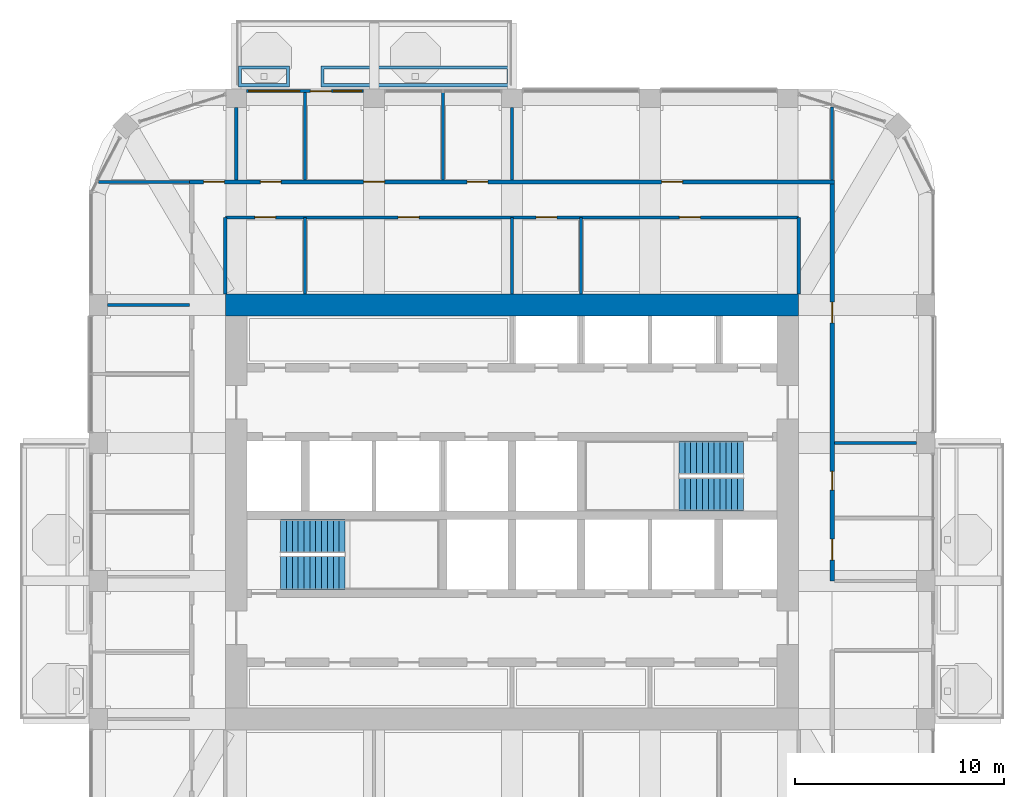
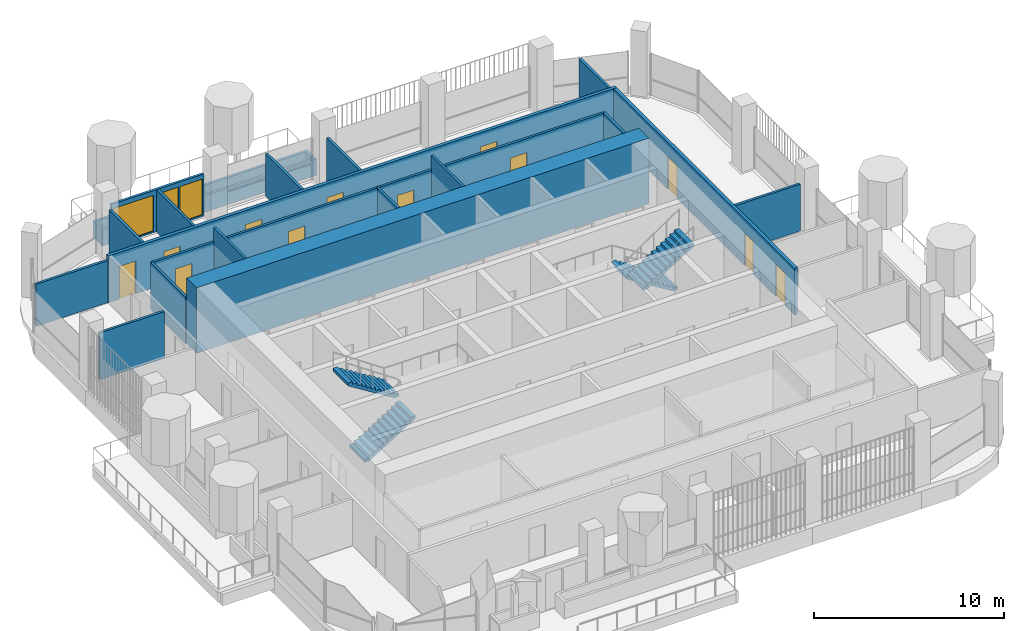
# One storey, part 14 of 18: 20 walls, 13 doors, 4 stair flights, 2 windows, 15 openings, 2 elements without a shape of their own.
"""IFC4 building model written with IfcOpenShell, lengths in metres."""

from ifc_helpers import new_model, si_unit, direction, frame, frame_2d, origin, place, context, subcontext, project, spatial, polyline, rectangle, outline, extrude, material, layer, layer_set, type_object, element, fill, aggregate, save


model = new_model("IFC4")

# Units and contexts
model_context = context("Model", 3, precision=1e-05, world=origin(), true_north=direction((0.0, 1.0)))
body_context = subcontext(model_context, "Body", "Model", "MODEL_VIEW")
ifc_project = project(units=[si_unit("LENGTHUNIT", "METRE"), si_unit("AREAUNIT", "SQUARE_METRE"), si_unit("VOLUMEUNIT", "CUBIC_METRE"), si_unit("PLANEANGLEUNIT", "RADIAN"), si_unit("MASSUNIT", "GRAM", prefix="KILO")], contexts=[model_context])

# Site, building, storey
site_placement = place(None, origin())
site = spatial("IfcSite", under=ifc_project, at=site_placement, CompositionType="ELEMENT")
building_placement = place(site_placement, origin())
building = spatial("IfcBuilding", under=site, at=building_placement, Name="Cobogo Forest Laboratory Tower", CompositionType="ELEMENT")
storey_placement = place(building_placement, frame((0.0, 0.0, 271.199951171875)))
storey = spatial("IfcBuildingStorey", under=building, at=storey_placement, Name="L62", CompositionType="ELEMENT", Elevation=271.199951171875)

# Wall
ifc_material_1 = material(Name="Concrete HA-50 (C50/60)", Category="concrete")
ifc_layer_1 = layer(ifc_material_1, 1.050048828125)
ifc_layer_set_1 = layer_set([ifc_layer_1], Name="CW1050 core outer wall 1050")
wall_type_1 = type_object("IfcWallType", Name="CW1050 core outer wall 1050", PredefinedType="SHEAR", material=ifc_layer_set_1)
wall_1_placement = place(storey_placement, frame((40.125, 33.0, 0.0), z_axis=(0.0, 0.0, 1.0), x_axis=(-1.0, 0.0, 0.0)))
element("IfcWall", 1, at=wall_1_placement, inside=storey, type_object=wall_type_1, Name="Core wall CO-N L62", PredefinedType="SHEAR", context=body_context, shape_type="SweptSolid", body=[
    extrude(rectangle(XDim=27.449951171875, YDim=1.050048828125, at=frame_2d((13.72509765625, 0.0))), origin(), (0.0, 0.0, 1.0), 4.199951171875),
])

# Wall, openings, door, windows
ifc_material_2 = material(Name="Aluminium framed glazed screen", Category="aluminium")
ifc_layer_2 = layer(ifc_material_2, 0.14990234375)
ifc_layer_set_2 = layer_set([ifc_layer_2], Name="GS1 glazed door screen 150")
wall_type_2 = type_object("IfcWallType", Name="GS1 glazed door screen 150", PredefinedType="SOLIDWALL", material=ifc_layer_set_2)
wall_2_placement = place(storey_placement, frame((19.300048828125, 43.25, 0.0), z_axis=(0.0, 0.0, 1.0), x_axis=(-1.0, 0.0, 0.0)))
wall_2 = element("IfcWall", 2, at=wall_2_placement, inside=storey, type_object=wall_type_2, Name="Door screen BAL-N1 L62", PredefinedType="SOLIDWALL", context=body_context, shape_type="SweptSolid", body=[
    extrude(rectangle(XDim=5.60009765625, YDim=0.14990234375, at=frame_2d((2.800048828125, 0.0))), origin(), (0.0, 0.0, 1.0), 2.699951171875),
])
opening_1_placement = place(wall_2_placement, frame((1.550048828125, 0.0, 0.0)))
opening_1 = element("IfcOpeningElement", 3, at=opening_1_placement, cuts=wall_2, Name="Opening L62-D52", PredefinedType="OPENING", context=body_context, shape_type="SweptSolid", body=[
    extrude(rectangle(XDim=1.0, YDim=2.39990234375, at=frame_2d((0.5, 1.199951171875))), frame((0.0, 0.0849609375, 0.0), z_axis=(0.0, -1.0, 0.0), x_axis=(1.0, 0.0, 0.0)), (0.0, 0.0, 1.0), 0.169921875),
])
opening_2_placement = place(wall_2_placement, frame((0.10009765625, 0.0, 0.10009765625)))
opening_2 = element("IfcOpeningElement", 4, at=opening_2_placement, cuts=wall_2, Name="Opening L62-W08", PredefinedType="OPENING", context=body_context, shape_type="SweptSolid", body=[
    extrude(rectangle(XDim=1.35009765625, YDim=2.300048828125, at=frame_2d((0.675048828125, 1.14990234375))), frame((0.0, 0.0849609375, 0.0), z_axis=(0.0, -1.0, 0.0), x_axis=(1.0, 0.0, 0.0)), (0.0, 0.0, 1.0), 0.169921875),
])
opening_3_placement = place(wall_2_placement, frame((3.050048828125, 0.0, 0.10009765625)))
opening_3 = element("IfcOpeningElement", 5, at=opening_3_placement, cuts=wall_2, Name="Opening L62-W07", PredefinedType="OPENING", context=body_context, shape_type="SweptSolid", body=[
    extrude(rectangle(XDim=2.449951171875, YDim=2.300048828125, at=frame_2d((1.22509765625, 1.14990234375))), frame((0.0, 0.0849609375, 0.0), z_axis=(0.0, -1.0, 0.0), x_axis=(1.0, 0.0, 0.0)), (0.0, 0.0, 1.0), 0.169921875),
])
ifc_material_3 = material(Name="Aluminium glazed door", Category="aluminium")
door_type_1 = type_object("IfcDoorType", Name="DB1 balcony door 1000 glazed", OperationType="SINGLE_SWING_LEFT", PredefinedType="DOOR", material=ifc_material_3)
door_1_placement = place(opening_1_placement, origin())
door_1 = element("IfcDoor", 6, at=door_1_placement, inside=storey, type_object=door_type_1, Name="Door L62-BAL-N1", OperationType="SINGLE_SWING_LEFT", OverallHeight=2.39990234375, OverallWidth=1.0, PredefinedType="DOOR", context=body_context, shape_type="SweptSolid", body=[
    extrude(rectangle(XDim=1.0, YDim=2.39990234375, at=frame_2d((0.5, 1.199951171875))), frame((0.0, 0.02490234375, 0.0), z_axis=(0.0, -1.0, 0.0), x_axis=(1.0, 0.0, 0.0)), (0.0, 0.0, 1.0), 0.050048828125),
])
fill(opening_1, door_1)
ifc_material_4 = material(Name="Aluminium framed glazing", Category="aluminium")
window_type_1 = type_object("IfcWindowType", Name="WG23 fixed glazed light 2450x2300", PartitioningType="SINGLE_PANEL", PredefinedType="WINDOW", material=ifc_material_4)
window_1_placement = place(opening_3_placement, origin())
window_1 = element("IfcWindow", 7, at=window_1_placement, inside=storey, type_object=window_type_1, Name="Window L62-BAL-N1-2", OverallHeight=2.300048828125, OverallWidth=2.449951171875, PartitioningType="SINGLE_PANEL", PredefinedType="WINDOW", context=body_context, shape_type="SweptSolid", body=[
    extrude(rectangle(XDim=2.449951171875, YDim=2.300048828125, at=frame_2d((1.22509765625, 1.14990234375))), frame((0.0, 0.030029296875, 0.0), z_axis=(0.0, -1.0, 0.0), x_axis=(1.0, 0.0, 0.0)), (0.0, 0.0, 1.0), 0.06005859375),
])
fill(opening_3, window_1)
window_type_2 = type_object("IfcWindowType", Name="WG24 fixed glazed light 1350x2300", PartitioningType="SINGLE_PANEL", PredefinedType="WINDOW", material=ifc_material_4)
window_2_placement = place(opening_2_placement, origin())
window_2 = element("IfcWindow", 8, at=window_2_placement, inside=storey, type_object=window_type_2, Name="Window L62-BAL-N1-1", OverallHeight=2.300048828125, OverallWidth=1.35009765625, PartitioningType="SINGLE_PANEL", PredefinedType="WINDOW", context=body_context, shape_type="SweptSolid", body=[
    extrude(rectangle(XDim=1.35009765625, YDim=2.300048828125, at=frame_2d((0.675048828125, 1.14990234375))), frame((0.0, 0.030029296875, 0.0), z_axis=(0.0, -1.0, 0.0), x_axis=(1.0, 0.0, 0.0)), (0.0, 0.0, 1.0), 0.06005859375),
])
fill(opening_2, window_2)

# Wall, openings, doors
ifc_material_5 = material(Name="Gypsum board on steel studs", Category="steel")
ifc_layer_3 = layer(ifc_material_5, 0.14990234375)
ifc_layer_set_3 = layer_set([ifc_layer_3], Name="PT1 laboratory partition 150")
wall_type_3 = type_object("IfcWallType", Name="PT1 laboratory partition 150", PredefinedType="PARTITIONING", material=ifc_layer_set_3)
wall_3_placement = place(storey_placement, frame((12.675048828125, 37.199951171875, 0.0), z_axis=(0.0, 0.0, 1.0), x_axis=(1.0, 0.0, 0.0)))
wall_3 = element("IfcWall", 9, at=wall_3_placement, inside=storey, type_object=wall_type_3, Name="Partition CSTRIP-N L62", PredefinedType="PARTITIONING", context=body_context, shape_type="SweptSolid", body=[
    extrude(rectangle(XDim=27.449951171875, YDim=0.14990234375, at=frame_2d((13.72509765625, 0.0))), origin(), (0.0, 0.0, 1.0), 3.0),
])
opening_4_placement = place(wall_3_placement, frame((1.41259765625, 0.0, 0.0)))
opening_4 = element("IfcOpeningElement", 10, at=opening_4_placement, cuts=wall_3, Name="Opening L62-D43", PredefinedType="OPENING", context=body_context, shape_type="SweptSolid", body=[
    extrude(rectangle(XDim=1.0, YDim=2.10009765625, at=frame_2d((0.5, 1.050048828125))), frame((0.0, 0.0849609375, 0.0), z_axis=(0.0, -1.0, 0.0), x_axis=(1.0, 0.0, 0.0)), (0.0, 0.0, 1.0), 0.169921875),
])
opening_5_placement = place(wall_3_placement, frame((8.27490234375, 0.0, 0.0)))
opening_5 = element("IfcOpeningElement", 11, at=opening_5_placement, cuts=wall_3, Name="Opening L62-D44", PredefinedType="OPENING", context=body_context, shape_type="SweptSolid", body=[
    extrude(rectangle(XDim=1.0, YDim=2.10009765625, at=frame_2d((0.5, 1.050048828125))), frame((0.0, 0.0849609375, 0.0), z_axis=(0.0, -1.0, 0.0), x_axis=(1.0, 0.0, 0.0)), (0.0, 0.0, 1.0), 0.169921875),
])
opening_6_placement = place(wall_3_placement, frame((14.875, 0.0, 0.0)))
opening_6 = element("IfcOpeningElement", 12, at=opening_6_placement, cuts=wall_3, Name="Opening L62-D45", PredefinedType="OPENING", context=body_context, shape_type="SweptSolid", body=[
    extrude(rectangle(XDim=1.0, YDim=2.10009765625, at=frame_2d((0.5, 1.050048828125))), frame((0.0, 0.0849609375, 0.0), z_axis=(0.0, -1.0, 0.0), x_axis=(1.0, 0.0, 0.0)), (0.0, 0.0, 1.0), 0.169921875),
])
opening_7_placement = place(wall_3_placement, frame((21.737548828125, 0.0, 0.0)))
opening_7 = element("IfcOpeningElement", 13, at=opening_7_placement, cuts=wall_3, Name="Opening L62-D46", PredefinedType="OPENING", context=body_context, shape_type="SweptSolid", body=[
    extrude(rectangle(XDim=1.0, YDim=2.10009765625, at=frame_2d((0.5, 1.050048828125))), frame((0.0, 0.0849609375, 0.0), z_axis=(0.0, -1.0, 0.0), x_axis=(1.0, 0.0, 0.0)), (0.0, 0.0, 1.0), 0.169921875),
])
ifc_material_6 = material(Name="Timber fire door", Category="wood")
door_type_2 = type_object("IfcDoorType", Name="FD2 fire door 1000 EI2 30", OperationType="SINGLE_SWING_LEFT", PredefinedType="DOOR", material=ifc_material_6)
door_2_placement = place(opening_4_placement, origin())
door_2 = element("IfcDoor", 14, at=door_2_placement, inside=storey, type_object=door_type_2, Name="Door L62-CSN1", OperationType="SINGLE_SWING_LEFT", OverallHeight=2.10009765625, OverallWidth=1.0, PredefinedType="DOOR", context=body_context, shape_type="SweptSolid", body=[
    extrude(rectangle(XDim=1.0, YDim=2.10009765625, at=frame_2d((0.5, 1.050048828125))), frame((0.0, 0.02490234375, 0.0), z_axis=(0.0, -1.0, 0.0), x_axis=(1.0, 0.0, 0.0)), (0.0, 0.0, 1.0), 0.050048828125),
])
fill(opening_4, door_2)
door_3_placement = place(opening_5_placement, origin())
door_3 = element("IfcDoor", 15, at=door_3_placement, inside=storey, type_object=door_type_2, Name="Door L62-CSN2", OperationType="SINGLE_SWING_LEFT", OverallHeight=2.10009765625, OverallWidth=1.0, PredefinedType="DOOR", context=body_context, shape_type="SweptSolid", body=[
    extrude(rectangle(XDim=1.0, YDim=2.10009765625, at=frame_2d((0.5, 1.050048828125))), frame((0.0, 0.02490234375, 0.0), z_axis=(0.0, -1.0, 0.0), x_axis=(1.0, 0.0, 0.0)), (0.0, 0.0, 1.0), 0.050048828125),
])
fill(opening_5, door_3)
door_4_placement = place(opening_6_placement, origin())
door_4 = element("IfcDoor", 16, at=door_4_placement, inside=storey, type_object=door_type_2, Name="Door L62-CSN3", OperationType="SINGLE_SWING_RIGHT", OverallHeight=2.10009765625, OverallWidth=1.0, PredefinedType="DOOR", context=body_context, shape_type="SweptSolid", body=[
    extrude(rectangle(XDim=1.0, YDim=2.10009765625, at=frame_2d((0.5, 1.050048828125))), frame((0.0, 0.02490234375, 0.0), z_axis=(0.0, -1.0, 0.0), x_axis=(1.0, 0.0, 0.0)), (0.0, 0.0, 1.0), 0.050048828125),
])
fill(opening_6, door_4)
door_5_placement = place(opening_7_placement, origin())
door_5 = element("IfcDoor", 17, at=door_5_placement, inside=storey, type_object=door_type_2, Name="Door L62-CSN4", OperationType="SINGLE_SWING_RIGHT", OverallHeight=2.10009765625, OverallWidth=1.0, PredefinedType="DOOR", context=body_context, shape_type="SweptSolid", body=[
    extrude(rectangle(XDim=1.0, YDim=2.10009765625, at=frame_2d((0.5, 1.050048828125))), frame((0.0, 0.02490234375, 0.0), z_axis=(0.0, -1.0, 0.0), x_axis=(1.0, 0.0, 0.0)), (0.0, 0.0, 1.0), 0.050048828125),
])
fill(opening_7, door_5)

# Walls
for number, where, z_axis, x_axis, name in (
    (18, (12.675048828125, 33.52490234375, 0.0), (0.0, 0.0, 1.0), (0.0, 1.0, 0.0), "Partition CSTRIP-NW L62"),
    (19, (40.125, 33.52490234375, 0.0), (0.0, 0.0, 1.0), (0.0, 1.0, 0.0), "Partition CSTRIP-NE L62"),
):
    element("IfcWall", number, at=place(storey_placement, frame(where, z_axis=z_axis, x_axis=x_axis)), inside=storey, type_object=wall_type_3, Name=name, PredefinedType="PARTITIONING", context=body_context, shape_type="SweptSolid", body=[
        extrude(rectangle(XDim=3.675048828125, YDim=0.14990234375, at=frame_2d((1.83740234375, 0.0))), origin(), (0.0, 0.0, 1.0), 3.0),
    ])
wall_4_placement = place(storey_placement, frame((16.5, 33.52490234375, 0.0), z_axis=(0.0, 0.0, 1.0), x_axis=(0.0, 1.0, 0.0)))
element("IfcWall", 20, at=wall_4_placement, inside=storey, type_object=wall_type_3, Name="Partition CSTRIP-N16.5 L62", PredefinedType="PARTITIONING", context=body_context, shape_type="SweptSolid", body=[
    extrude(rectangle(XDim=3.675048828125, YDim=0.14990234375, at=frame_2d((1.83740234375, 0.0))), origin(), (0.0, 0.0, 1.0), 3.900146484375),
])
wall_5_placement = place(storey_placement, frame((26.39990234375, 33.52490234375, 0.0), z_axis=(0.0, 0.0, 1.0), x_axis=(0.0, 1.0, 0.0)))
element("IfcWall", 21, at=wall_5_placement, inside=storey, type_object=wall_type_3, Name="Partition CSTRIP-N26.4 L62", PredefinedType="PARTITIONING", context=body_context, shape_type="SweptSolid", body=[
    extrude(rectangle(XDim=3.675048828125, YDim=0.14990234375, at=frame_2d((1.83740234375, 0.0))), origin(), (0.0, 0.0, 1.0), 3.0),
])
wall_6_placement = place(storey_placement, frame((29.699951171875, 33.52490234375, 0.0), z_axis=(0.0, 0.0, 1.0), x_axis=(0.0, 1.0, 0.0)))
element("IfcWall", 22, at=wall_6_placement, inside=storey, type_object=wall_type_3, Name="Partition CSTRIP-N29.7 L62", PredefinedType="PARTITIONING", context=body_context, shape_type="SweptSolid", body=[
    extrude(rectangle(XDim=3.675048828125, YDim=0.14990234375, at=frame_2d((1.83740234375, 0.0))), origin(), (0.0, 0.0, 1.0), 3.900146484375),
])
wall_7_placement = place(storey_placement, frame((41.72509765625, 42.4951171875, 0.0), z_axis=(0.0, 0.0, 1.0), x_axis=(0.0, -1.0, 0.0)))
element("IfcWall", 23, at=wall_7_placement, inside=storey, type_object=wall_type_3, Name="Partition PW-NE L62", PredefinedType="PARTITIONING", context=body_context, shape_type="SweptSolid", body=[
    extrude(rectangle(XDim=3.4951171875, YDim=0.14990234375, at=frame_2d((1.74755859375, 0.0))), origin(), (0.0, 0.0, 1.0), 2.699951171875),
])
wall_8_placement = place(storey_placement, frame((6.6025390625, 38.89990234375, 0.0), z_axis=(0.0, 0.0, 1.0), x_axis=(1.0, 0.0, 0.0)))
element("IfcWall", 24, at=wall_8_placement, inside=storey, type_object=wall_type_3, Name="Partition PW-NW L62", PredefinedType="PARTITIONING", context=body_context, shape_type="SweptSolid", body=[
    extrude(rectangle(XDim=4.37255859375, YDim=0.14990234375, at=frame_2d((2.186279296875, 0.0))), origin(), (0.0, 0.0, 1.0), 2.699951171875),
])
wall_9_placement = place(storey_placement, frame((45.75, 26.39990234375, 0.0), z_axis=(0.0, 0.0, 1.0), x_axis=(-1.0, 0.0, 0.0)))
element("IfcWall", 25, at=wall_9_placement, inside=storey, type_object=wall_type_3, Name="Partition SVC-E2-1 L62", PredefinedType="PARTITIONING", context=body_context, shape_type="SweptSolid", body=[
    extrude(rectangle(XDim=3.925048828125, YDim=0.14990234375, at=frame_2d((1.96240234375, 0.0))), origin(), (0.0, 0.0, 1.0), 3.0),
])
wall_10_placement = place(storey_placement, frame((13.199951171875, 42.449951171875, 0.0), z_axis=(0.0, 0.0, 1.0), x_axis=(0.0, -1.0, 0.0)))
element("IfcWall", 26, at=wall_10_placement, inside=storey, type_object=wall_type_3, Name="Partition CUT-N13.2-1 L62", PredefinedType="PARTITIONING", context=body_context, shape_type="SweptSolid", body=[
    extrude(rectangle(XDim=3.449951171875, YDim=0.14990234375, at=frame_2d((1.72509765625, 0.0))), origin(), (0.0, 0.0, 1.0), 3.0),
])
for number, where, z_axis, x_axis, name in (
    (27, (16.5, 43.169921875, 0.0), (0.0, 0.0, 1.0), (0.0, -1.0, 0.0), "Partition CUT-N16.5-1 L62"),
    (28, (23.10009765625, 43.169921875, 0.0), (0.0, 0.0, 1.0), (0.0, -1.0, 0.0), "Partition CUT-N23.1-1 L62"),
):
    element("IfcWall", number, at=place(storey_placement, frame(where, z_axis=z_axis, x_axis=x_axis)), inside=storey, type_object=wall_type_3, Name=name, PredefinedType="PARTITIONING", context=body_context, shape_type="SweptSolid", body=[
        extrude(rectangle(XDim=4.169921875, YDim=0.14990234375, at=frame_2d((2.0849609375, 0.0))), origin(), (0.0, 0.0, 1.0), 2.699951171875),
    ])
wall_11_placement = place(storey_placement, frame((26.39990234375, 42.449951171875, 0.0), z_axis=(0.0, 0.0, 1.0), x_axis=(0.0, -1.0, 0.0)))
element("IfcWall", 29, at=wall_11_placement, inside=storey, type_object=wall_type_3, Name="Partition CUT-N26.4-1 L62", PredefinedType="PARTITIONING", context=body_context, shape_type="SweptSolid", body=[
    extrude(rectangle(XDim=3.449951171875, YDim=0.14990234375, at=frame_2d((1.72509765625, 0.0))), origin(), (0.0, 0.0, 1.0), 3.0),
])
wall_12_placement = place(storey_placement, frame((7.050048828125, 33.0, 0.0), z_axis=(0.0, 0.0, 1.0), x_axis=(1.0, 0.0, 0.0)))
element("IfcWall", 30, at=wall_12_placement, inside=storey, type_object=wall_type_3, Name="Partition CUT-W33-1 L62", PredefinedType="PARTITIONING", context=body_context, shape_type="SweptSolid", body=[
    extrude(rectangle(XDim=3.925048828125, YDim=0.14990234375, at=frame_2d((1.96240234375, 0.0))), origin(), (0.0, 0.0, 1.0), 3.0),
])

# Wall, openings, doors
ifc_layer_4 = layer(ifc_material_5, 0.199951171875)
ifc_layer_set_4 = layer_set([ifc_layer_4], Name="PT2 fire-rated corridor partition 200")
wall_type_4 = type_object("IfcWallType", Name="PT2 fire-rated corridor partition 200", PredefinedType="PARTITIONING", material=ifc_layer_set_4)
wall_13_placement = place(storey_placement, frame((10.97509765625, 38.89990234375, 0.0), z_axis=(0.0, 0.0, 1.0), x_axis=(1.0, 0.0, 0.0)))
wall_13 = element("IfcWall", 31, at=wall_13_placement, inside=storey, type_object=wall_type_4, Name="Partition CORR-N L62", PredefinedType="PARTITIONING", context=body_context, shape_type="SweptSolid", body=[
    extrude(rectangle(XDim=30.849853515625, YDim=0.199951171875, at=frame_2d((15.4248046875, 0.0))), origin(), (0.0, 0.0, 1.0), 3.0),
])
opening_8_placement = place(wall_13_placement, frame((0.66259765625, 0.0, 0.0)))
opening_8 = element("IfcOpeningElement", 32, at=opening_8_placement, cuts=wall_13, Name="Opening L62-D47", PredefinedType="OPENING", context=body_context, shape_type="SweptSolid", body=[
    extrude(rectangle(XDim=1.0, YDim=2.10009765625, at=frame_2d((0.5, 1.050048828125))), frame((0.0, 0.10986328125, 0.0), z_axis=(0.0, -1.0, 0.0), x_axis=(1.0, 0.0, 0.0)), (0.0, 0.0, 1.0), 0.219970703125),
])
opening_9_placement = place(wall_13_placement, frame((3.375, 0.0, 0.0)))
opening_9 = element("IfcOpeningElement", 33, at=opening_9_placement, cuts=wall_13, Name="Opening L62-D48", PredefinedType="OPENING", context=body_context, shape_type="SweptSolid", body=[
    extrude(rectangle(XDim=1.0, YDim=2.10009765625, at=frame_2d((0.5, 1.050048828125))), frame((0.0, 0.10986328125, 0.0), z_axis=(0.0, -1.0, 0.0), x_axis=(1.0, 0.0, 0.0)), (0.0, 0.0, 1.0), 0.219970703125),
])
opening_10_placement = place(wall_13_placement, frame((8.324951171875, 0.0, 0.0)))
opening_10 = element("IfcOpeningElement", 34, at=opening_10_placement, cuts=wall_13, Name="Opening L62-D49", PredefinedType="OPENING", context=body_context, shape_type="SweptSolid", body=[
    extrude(rectangle(XDim=1.0, YDim=2.10009765625, at=frame_2d((0.5, 1.050048828125))), frame((0.0, 0.10986328125, 0.0), z_axis=(0.0, -1.0, 0.0), x_axis=(1.0, 0.0, 0.0)), (0.0, 0.0, 1.0), 0.219970703125),
])
opening_11_placement = place(wall_13_placement, frame((13.27490234375, 0.0, 0.0)))
opening_11 = element("IfcOpeningElement", 35, at=opening_11_placement, cuts=wall_13, Name="Opening L62-D50", PredefinedType="OPENING", context=body_context, shape_type="SweptSolid", body=[
    extrude(rectangle(XDim=1.0, YDim=2.10009765625, at=frame_2d((0.5, 1.050048828125))), frame((0.0, 0.10986328125, 0.0), z_axis=(0.0, -1.0, 0.0), x_axis=(1.0, 0.0, 0.0)), (0.0, 0.0, 1.0), 0.219970703125),
])
opening_12_placement = place(wall_13_placement, frame((22.58740234375, 0.0, 0.0)))
opening_12 = element("IfcOpeningElement", 36, at=opening_12_placement, cuts=wall_13, Name="Opening L62-D51", PredefinedType="OPENING", context=body_context, shape_type="SweptSolid", body=[
    extrude(rectangle(XDim=1.0, YDim=2.10009765625, at=frame_2d((0.5, 1.050048828125))), frame((0.0, 0.10986328125, 0.0), z_axis=(0.0, -1.0, 0.0), x_axis=(1.0, 0.0, 0.0)), (0.0, 0.0, 1.0), 0.219970703125),
])
door_6_placement = place(opening_8_placement, origin())
door_6 = element("IfcDoor", 37, at=door_6_placement, inside=storey, type_object=door_type_2, Name="Door L62-N1", OperationType="SINGLE_SWING_LEFT", OverallHeight=2.10009765625, OverallWidth=1.0, PredefinedType="DOOR", context=body_context, shape_type="SweptSolid", body=[
    extrude(rectangle(XDim=1.0, YDim=2.10009765625, at=frame_2d((0.5, 1.050048828125))), frame((0.0, 0.02490234375, 0.0), z_axis=(0.0, -1.0, 0.0), x_axis=(1.0, 0.0, 0.0)), (0.0, 0.0, 1.0), 0.050048828125),
])
fill(opening_8, door_6)
door_7_placement = place(opening_9_placement, origin())
door_7 = element("IfcDoor", 38, at=door_7_placement, inside=storey, type_object=door_type_2, Name="Door L62-N2", OperationType="SINGLE_SWING_LEFT", OverallHeight=2.10009765625, OverallWidth=1.0, PredefinedType="DOOR", context=body_context, shape_type="SweptSolid", body=[
    extrude(rectangle(XDim=1.0, YDim=2.10009765625, at=frame_2d((0.5, 1.050048828125))), frame((0.0, 0.02490234375, 0.0), z_axis=(0.0, -1.0, 0.0), x_axis=(1.0, 0.0, 0.0)), (0.0, 0.0, 1.0), 0.050048828125),
])
fill(opening_9, door_7)
door_8_placement = place(opening_10_placement, origin())
door_8 = element("IfcDoor", 39, at=door_8_placement, inside=storey, type_object=door_type_2, Name="Door L62-N3", OperationType="SINGLE_SWING_LEFT", OverallHeight=2.10009765625, OverallWidth=1.0, PredefinedType="DOOR", context=body_context, shape_type="SweptSolid", body=[
    extrude(rectangle(XDim=1.0, YDim=2.10009765625, at=frame_2d((0.5, 1.050048828125))), frame((0.0, 0.02490234375, 0.0), z_axis=(0.0, -1.0, 0.0), x_axis=(1.0, 0.0, 0.0)), (0.0, 0.0, 1.0), 0.050048828125),
])
fill(opening_10, door_8)
door_9_placement = place(opening_11_placement, origin())
door_9 = element("IfcDoor", 40, at=door_9_placement, inside=storey, type_object=door_type_2, Name="Door L62-N4", OperationType="SINGLE_SWING_LEFT", OverallHeight=2.10009765625, OverallWidth=1.0, PredefinedType="DOOR", context=body_context, shape_type="SweptSolid", body=[
    extrude(rectangle(XDim=1.0, YDim=2.10009765625, at=frame_2d((0.5, 1.050048828125))), frame((0.0, 0.02490234375, 0.0), z_axis=(0.0, -1.0, 0.0), x_axis=(1.0, 0.0, 0.0)), (0.0, 0.0, 1.0), 0.050048828125),
])
fill(opening_11, door_9)
door_10_placement = place(opening_12_placement, origin())
door_10 = element("IfcDoor", 41, at=door_10_placement, inside=storey, type_object=door_type_2, Name="Door L62-N5", OperationType="SINGLE_SWING_RIGHT", OverallHeight=2.10009765625, OverallWidth=1.0, PredefinedType="DOOR", context=body_context, shape_type="SweptSolid", body=[
    extrude(rectangle(XDim=1.0, YDim=2.10009765625, at=frame_2d((0.5, 1.050048828125))), frame((0.0, 0.02490234375, 0.0), z_axis=(0.0, -1.0, 0.0), x_axis=(1.0, 0.0, 0.0)), (0.0, 0.0, 1.0), 0.050048828125),
])
fill(opening_12, door_10)

wall_14_placement = place(storey_placement, frame((41.72509765625, 19.800048828125, 0.0), z_axis=(0.0, 0.0, 1.0), x_axis=(0.0, 1.0, 0.0)))
wall_14 = element("IfcWall", 42, at=wall_14_placement, inside=storey, type_object=wall_type_4, Name="Partition CORR-E-2 L62", PredefinedType="PARTITIONING", context=body_context, shape_type="SweptSolid", body=[
    extrude(rectangle(XDim=19.0, YDim=0.199951171875, at=frame_2d((9.5, 0.0))), origin(), (0.0, 0.0, 1.0), 3.0),
])
opening_13_placement = place(wall_14_placement, frame((1.0, 0.0, 0.0)))
opening_13 = element("IfcOpeningElement", 43, at=opening_13_placement, cuts=wall_14, Name="Opening L62-D29", PredefinedType="OPENING", context=body_context, shape_type="SweptSolid", body=[
    extrude(rectangle(XDim=1.0, YDim=2.10009765625, at=frame_2d((0.5, 1.050048828125))), frame((0.0, 0.10986328125, 0.0), z_axis=(0.0, -1.0, 0.0), x_axis=(1.0, 0.0, 0.0)), (0.0, 0.0, 1.0), 0.219970703125),
])
opening_14_placement = place(wall_14_placement, frame((4.35009765625, 0.0, 0.0)))
opening_14 = element("IfcOpeningElement", 44, at=opening_14_placement, cuts=wall_14, Name="Opening L62-D31", PredefinedType="OPENING", context=body_context, shape_type="SweptSolid", body=[
    extrude(rectangle(XDim=0.89990234375, YDim=2.10009765625, at=frame_2d((0.449951171875, 1.050048828125))), frame((0.0, 0.10986328125, 0.0), z_axis=(0.0, -1.0, 0.0), x_axis=(1.0, 0.0, 0.0)), (0.0, 0.0, 1.0), 0.219970703125),
])
opening_15_placement = place(wall_14_placement, frame((12.35009765625, 0.0, 0.0)))
opening_15 = element("IfcOpeningElement", 45, at=opening_15_placement, cuts=wall_14, Name="Opening L62-D41", PredefinedType="OPENING", context=body_context, shape_type="SweptSolid", body=[
    extrude(rectangle(XDim=1.0, YDim=2.10009765625, at=frame_2d((0.5, 1.050048828125))), frame((0.0, 0.10986328125, 0.0), z_axis=(0.0, -1.0, 0.0), x_axis=(1.0, 0.0, 0.0)), (0.0, 0.0, 1.0), 0.219970703125),
])
ifc_material_7 = material(Name="Steel fire door", Category="steel")
door_type_3 = type_object("IfcDoorType", Name="FD1 fire door 1000 EI2 60", OperationType="SINGLE_SWING_LEFT", PredefinedType="DOOR", material=ifc_material_7)
door_11_placement = place(opening_13_placement, origin())
door_11 = element("IfcDoor", 46, at=door_11_placement, inside=storey, type_object=door_type_3, Name="Door L62-ELEC", OperationType="SINGLE_SWING_LEFT", OverallHeight=2.10009765625, OverallWidth=1.0, PredefinedType="DOOR", context=body_context, shape_type="SweptSolid", body=[
    extrude(rectangle(XDim=1.0, YDim=2.10009765625, at=frame_2d((0.5, 1.050048828125))), frame((0.0, 0.02490234375, 0.0), z_axis=(0.0, -1.0, 0.0), x_axis=(1.0, 0.0, 0.0)), (0.0, 0.0, 1.0), 0.050048828125),
])
fill(opening_13, door_11)
door_12_placement = place(opening_15_placement, origin())
door_12 = element("IfcDoor", 47, at=door_12_placement, inside=storey, type_object=door_type_2, Name="Door L62-E3", OperationType="SINGLE_SWING_RIGHT", OverallHeight=2.10009765625, OverallWidth=1.0, PredefinedType="DOOR", context=body_context, shape_type="SweptSolid", body=[
    extrude(rectangle(XDim=1.0, YDim=2.10009765625, at=frame_2d((0.5, 1.050048828125))), frame((0.0, 0.02490234375, 0.0), z_axis=(0.0, -1.0, 0.0), x_axis=(1.0, 0.0, 0.0)), (0.0, 0.0, 1.0), 0.050048828125),
])
fill(opening_15, door_12)
door_type_4 = type_object("IfcDoorType", Name="FD4 riser access door 900 EI2 60", OperationType="SINGLE_SWING_LEFT", PredefinedType="DOOR", material=ifc_material_7)
door_13_placement = place(opening_14_placement, origin())
door_13 = element("IfcDoor", 48, at=door_13_placement, inside=storey, type_object=door_type_4, Name="Door L62-COMMS", OperationType="SINGLE_SWING_LEFT", OverallHeight=2.10009765625, OverallWidth=0.89990234375, PredefinedType="DOOR", context=body_context, shape_type="SweptSolid", body=[
    extrude(rectangle(XDim=0.89990234375, YDim=2.10009765625, at=frame_2d((0.449951171875, 1.050048828125))), frame((0.0, 0.02490234375, 0.0), z_axis=(0.0, -1.0, 0.0), x_axis=(1.0, 0.0, 0.0)), (0.0, 0.0, 1.0), 0.050048828125),
])
fill(opening_14, door_13)

# Walls
ifc_material_8 = material(Name="Concrete HA-40 (C40/50)", Category="concrete")
ifc_layer_5 = layer(ifc_material_8, 0.14990234375)
ifc_layer_set_5 = layer_set([ifc_layer_5], Name="Planter box 1000x1050")
wall_type_5 = type_object("IfcWallType", Name="Planter box 1000x1050", PredefinedType="USERDEFINED", material=ifc_layer_set_5)
wall_15_placement = place(storey_placement, origin())
element("IfcWall", 49, at=wall_15_placement, inside=storey, type_object=wall_type_5, Name="Planter BAL-N1-1 L62", ObjectType="PLANTER", PredefinedType="USERDEFINED", context=body_context, shape_type="SweptSolid", body=[
    extrude(outline(polyline([(13.300048828125, 43.449951171875), (15.75, 43.449951171875), (15.75, 44.449951171875), (13.300048828125, 44.449951171875), (13.300048828125, 43.449951171875)]), holes=[polyline([(13.449951171875, 43.60009765625), (15.60009765625, 43.60009765625), (15.60009765625, 44.300048828125), (13.449951171875, 44.300048828125), (13.449951171875, 43.60009765625)])]), origin(), (0.0, 0.0, 1.0), 1.050048828125),
])
wall_16_placement = place(storey_placement, origin())
element("IfcWall", 50, at=wall_16_placement, inside=storey, type_object=wall_type_5, Name="Planter BAL-N1-2 L62", ObjectType="PLANTER", PredefinedType="USERDEFINED", context=body_context, shape_type="SweptSolid", body=[
    extrude(outline(polyline([(17.25, 43.449951171875), (26.300048828125, 43.449951171875), (26.300048828125, 44.449951171875), (17.25, 44.449951171875), (17.25, 43.449951171875)]), holes=[polyline([(17.39990234375, 43.60009765625), (26.14990234375, 43.60009765625), (26.14990234375, 44.300048828125), (17.39990234375, 44.300048828125), (17.39990234375, 43.60009765625)])]), origin(), (0.0, 0.0, 1.0), 1.050048828125),
])

# Stair, stair flights
ifc_material_9 = material(Name="Precast concrete HA-40 (C40/50)", Category="concrete")
stair_type = type_object("IfcStairType", Name="ST24 exit stair 24 risers", PredefinedType="HALF_TURN_STAIR", material=ifc_material_9)
stair_1_placement = place(storey_placement, origin())
stair_1 = element("IfcStair", 51, at=stair_1_placement, inside=storey, type_object=stair_type, Name="Stair 1 L62 to L63", PredefinedType="HALF_TURN_STAIR")
stair_flight_type = type_object("IfcStairFlightType", Name="ST stair flight 280 going", PredefinedType="STRAIGHT", material=ifc_material_9)
stair_flight_1_placement = place(storey_placement, frame((15.324951171875, 20.199951171875, 0.0), z_axis=(0.0, 0.0, 1.0), x_axis=(1.0, 0.0, 0.0)))
stair_flight_1 = element("IfcStairFlight", 52, at=stair_flight_1_placement, type_object=stair_flight_type, Name="ST1 flight 1", NumberOfRisers=12, NumberOfTreads=11, PredefinedType="STRAIGHT", RiserHeight=0.175, TreadLength=0.28, context=body_context, shape_type="SweptSolid", body=[
    extrude(outline(polyline([(0.0, 0.0), (0.0, 0.175048828125), (0.280029296875, 0.175048828125), (0.280029296875, 0.35009765625), (0.56005859375, 0.35009765625), (0.56005859375, 0.52490234375), (0.840087890625, 0.52490234375), (0.840087890625, 0.699951171875), (1.1201171875, 0.699951171875), (1.1201171875, 0.875), (1.39990234375, 0.875), (1.39990234375, 1.050048828125), (1.679931640625, 1.050048828125), (1.679931640625, 1.22509765625), (1.9599609375, 1.22509765625), (1.9599609375, 1.39990234375), (2.239990234375, 1.39990234375), (2.239990234375, 1.574951171875), (2.52001953125, 1.574951171875), (2.52001953125, 1.75), (2.800048828125, 1.75), (2.800048828125, 1.925048828125), (3.080078125, 1.925048828125), (3.080078125, 2.10009765625), (3.080078125, 1.748291015625), (0.28271484375, 0.0), (0.0, 0.0)])), frame((0.0, 0.800048828125, 0.0), z_axis=(0.0, -1.0, 0.0), x_axis=(1.0, 0.0, 0.0)), (0.0, 0.0, 1.0), 1.60009765625),
])
stair_flight_2_placement = place(storey_placement, frame((18.405029296875, 21.949951171875, 2.10009765625), z_axis=(0.0, 0.0, 1.0), x_axis=(-1.0, 0.0, 0.0)))
stair_flight_2 = element("IfcStairFlight", 53, at=stair_flight_2_placement, type_object=stair_flight_type, Name="ST1 flight 2", NumberOfRisers=12, NumberOfTreads=11, PredefinedType="STRAIGHT", RiserHeight=0.175, TreadLength=0.28, context=body_context, shape_type="SweptSolid", body=[
    extrude(outline(polyline([(0.0, 0.0), (0.0, 0.175048828125), (0.280029296875, 0.175048828125), (0.280029296875, 0.35009765625), (0.56005859375, 0.35009765625), (0.56005859375, 0.52490234375), (0.840087890625, 0.52490234375), (0.840087890625, 0.699951171875), (1.1201171875, 0.699951171875), (1.1201171875, 0.875), (1.39990234375, 0.875), (1.39990234375, 1.050048828125), (1.679931640625, 1.050048828125), (1.679931640625, 1.22509765625), (1.9599609375, 1.22509765625), (1.9599609375, 1.39990234375), (2.239990234375, 1.39990234375), (2.239990234375, 1.574951171875), (2.52001953125, 1.574951171875), (2.52001953125, 1.75), (2.800048828125, 1.75), (2.800048828125, 1.925048828125), (3.080078125, 1.925048828125), (3.080078125, 2.10009765625), (3.080078125, 1.748291015625), (0.28271484375, 0.0), (0.0, 0.0)])), frame((0.0, 0.800048828125, 0.0), z_axis=(0.0, -1.0, 0.0), x_axis=(1.0, 0.0, 0.0)), (0.0, 0.0, 1.0), 1.60009765625),
])
aggregate(stair_1, [stair_flight_1, stair_flight_2])

stair_2_placement = place(storey_placement, origin())
stair_2 = element("IfcStair", 54, at=stair_2_placement, inside=storey, type_object=stair_type, Name="Stair 2 L62 to L63", PredefinedType="HALF_TURN_STAIR")
stair_flight_3_placement = place(storey_placement, frame((37.47509765625, 25.699951171875, 0.0), z_axis=(0.0, 0.0, 1.0), x_axis=(-1.0, 0.0, 0.0)))
stair_flight_3 = element("IfcStairFlight", 55, at=stair_flight_3_placement, type_object=stair_flight_type, Name="ST2 flight 1", NumberOfRisers=12, NumberOfTreads=11, PredefinedType="STRAIGHT", RiserHeight=0.175, TreadLength=0.28, context=body_context, shape_type="SweptSolid", body=[
    extrude(outline(polyline([(0.0, 0.0), (0.0, 0.175048828125), (0.280029296875, 0.175048828125), (0.280029296875, 0.35009765625), (0.56005859375, 0.35009765625), (0.56005859375, 0.52490234375), (0.840087890625, 0.52490234375), (0.840087890625, 0.699951171875), (1.1201171875, 0.699951171875), (1.1201171875, 0.875), (1.39990234375, 0.875), (1.39990234375, 1.050048828125), (1.679931640625, 1.050048828125), (1.679931640625, 1.22509765625), (1.9599609375, 1.22509765625), (1.9599609375, 1.39990234375), (2.239990234375, 1.39990234375), (2.239990234375, 1.574951171875), (2.52001953125, 1.574951171875), (2.52001953125, 1.75), (2.800048828125, 1.75), (2.800048828125, 1.925048828125), (3.080078125, 1.925048828125), (3.080078125, 2.10009765625), (3.080078125, 1.748291015625), (0.28271484375, 0.0), (0.0, 0.0)])), frame((0.0, 0.800048828125, 0.0), z_axis=(0.0, -1.0, 0.0), x_axis=(1.0, 0.0, 0.0)), (0.0, 0.0, 1.0), 1.60009765625),
])
stair_flight_4_placement = place(storey_placement, frame((34.39501953125, 23.949951171875, 2.10009765625), z_axis=(0.0, 0.0, 1.0), x_axis=(1.0, 0.0, 0.0)))
stair_flight_4 = element("IfcStairFlight", 56, at=stair_flight_4_placement, type_object=stair_flight_type, Name="ST2 flight 2", NumberOfRisers=12, NumberOfTreads=11, PredefinedType="STRAIGHT", RiserHeight=0.175, TreadLength=0.28, context=body_context, shape_type="SweptSolid", body=[
    extrude(outline(polyline([(0.0, 0.0), (0.0, 0.175048828125), (0.280029296875, 0.175048828125), (0.280029296875, 0.35009765625), (0.56005859375, 0.35009765625), (0.56005859375, 0.52490234375), (0.840087890625, 0.52490234375), (0.840087890625, 0.699951171875), (1.1201171875, 0.699951171875), (1.1201171875, 0.875), (1.39990234375, 0.875), (1.39990234375, 1.050048828125), (1.679931640625, 1.050048828125), (1.679931640625, 1.22509765625), (1.9599609375, 1.22509765625), (1.9599609375, 1.39990234375), (2.239990234375, 1.39990234375), (2.239990234375, 1.574951171875), (2.52001953125, 1.574951171875), (2.52001953125, 1.75), (2.800048828125, 1.75), (2.800048828125, 1.925048828125), (3.080078125, 1.925048828125), (3.080078125, 2.10009765625), (3.080078125, 1.748291015625), (0.28271484375, 0.0), (0.0, 0.0)])), frame((0.0, 0.800048828125, 0.0), z_axis=(0.0, -1.0, 0.0), x_axis=(1.0, 0.0, 0.0)), (0.0, 0.0, 1.0), 1.60009765625),
])
aggregate(stair_2, [stair_flight_3, stair_flight_4])

save(model, "model.ifc")
